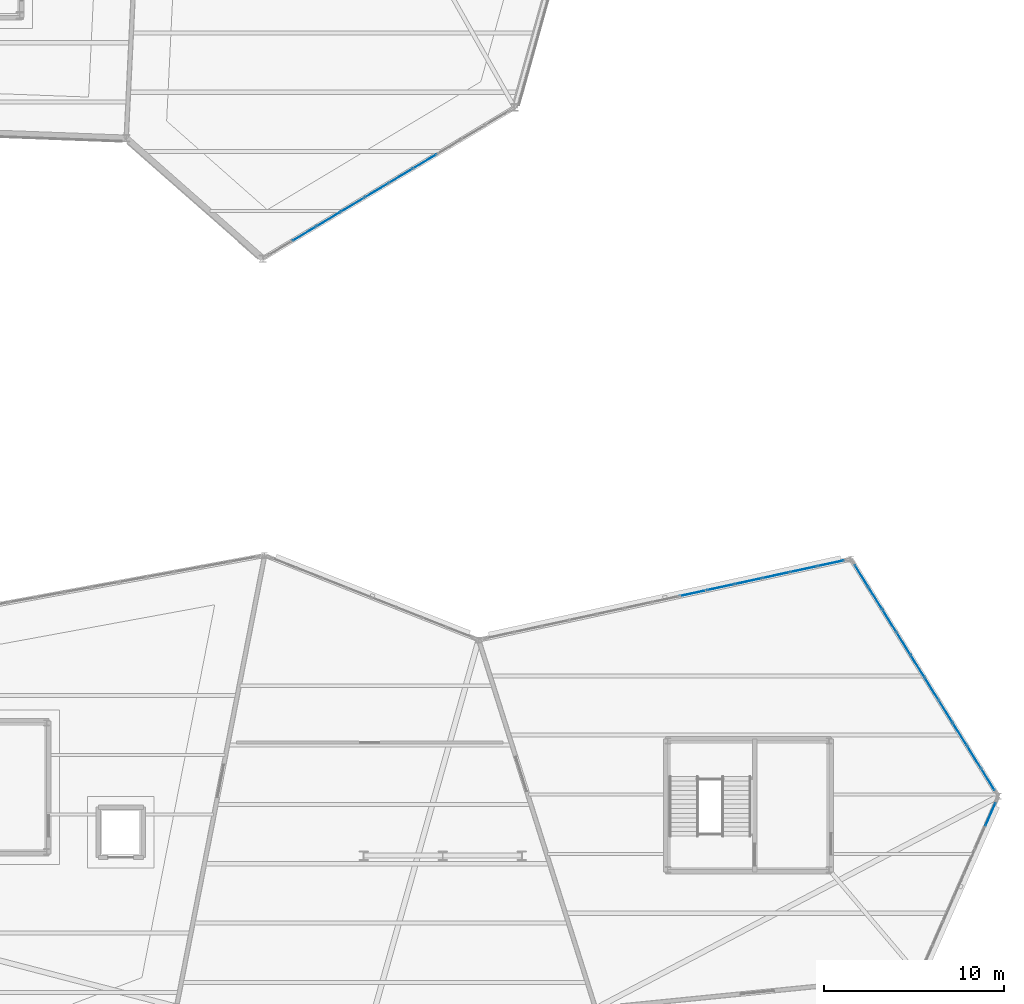
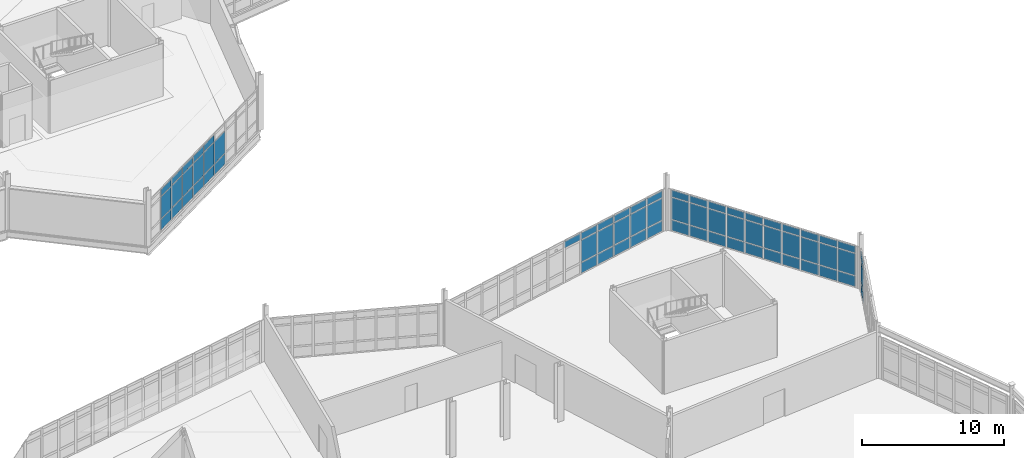
# One storey, part 99 of 134: 66 plates, 4 elements without a shape of their own.
"""IFC4 building model written with IfcOpenShell, lengths in metres."""

from ifc_helpers import new_model, si_unit, direction, frame, origin, origin_2d, place, context, subcontext, project, spatial, rectangle, extrude, material, layer, layer_set, type_object, element, aggregate, save


model = new_model("IFC4")

# Units and contexts
model_context = context("Model", 3, precision=1e-05, world=origin(), true_north=direction((0.0, 1.0)))
body_context = subcontext(model_context, "Body", "Model", "MODEL_VIEW")
ifc_project = project(units=[si_unit("LENGTHUNIT", "METRE"), si_unit("AREAUNIT", "SQUARE_METRE"), si_unit("VOLUMEUNIT", "CUBIC_METRE"), si_unit("PLANEANGLEUNIT", "RADIAN"), si_unit("MASSUNIT", "GRAM", prefix="KILO")], contexts=[model_context])

# Site, building, storey
site_placement = place(None, origin())
site = spatial("IfcSite", under=ifc_project, at=site_placement, CompositionType="ELEMENT")
building_placement = place(site_placement, origin())
building = spatial("IfcBuilding", under=site, at=building_placement, Name="Tameran Prism Museum", CompositionType="ELEMENT")
storey_placement = place(building_placement, frame((0.0, 0.0, 5.39990234375)))
storey = spatial("IfcBuildingStorey", under=building, at=storey_placement, Name="L01", CompositionType="ELEMENT", Elevation=5.39990234375)

# Curtain wall, plates
ifc_material_1 = material(Name="Anodised Aluminium 6063-T6 and Cyclone Solar Glass", Category="aluminium")
curtain_wall_type_1 = type_object("IfcCurtainWallType", Name="CW-FAC-1563x362", PredefinedType="USERDEFINED", material=ifc_material_1)
curtain_wall_1_placement = place(storey_placement, origin())
curtain_wall_1 = element("IfcCurtainWall", 1, at=curtain_wall_1_placement, inside=storey, type_object=curtain_wall_type_1, Name="Unitised Curtain Wall CW-056", ObjectType="UNITISED CURTAIN WALL", PredefinedType="USERDEFINED")
ifc_material_2 = material(Name="Low-E Laminated Solar Glass", Category="glass")
ifc_layer_1 = layer(ifc_material_2, 0.028076171875)
ifc_layer_set_1 = layer_set([ifc_layer_1])
plate_type_1 = type_object("IfcPlateType", Name="CW-PNL-G28", PredefinedType="CURTAIN_PANEL", material=ifc_layer_set_1)
plate_1_placement = place(storey_placement, frame((134.510009765625, 69.305908203125, 0.070068359375), z_axis=(0.0, 0.0, 1.0), x_axis=(-0.857492925713, -0.514495755426, 0.0)))
plate_1 = element("IfcPlate", 2, at=plate_1_placement, type_object=plate_type_1, Name="CW-056 panel 4.1", PredefinedType="CURTAIN_PANEL", context=body_context, shape_type="SweptSolid", body=[
    extrude(rectangle(XDim=1.49267578125, YDim=0.028076171875, at=origin_2d()), origin(), (0.0, 0.0, 1.0), 0.89501953125),
])
plate_2_placement = place(storey_placement, frame((134.510009765625, 69.305908203125, 1.03515625), z_axis=(0.0, 0.0, 1.0), x_axis=(-0.857492925713, -0.514495755426, 0.0)))
plate_2 = element("IfcPlate", 3, at=plate_2_placement, type_object=plate_type_1, Name="CW-056 panel 4.2", PredefinedType="CURTAIN_PANEL", context=body_context, shape_type="SweptSolid", body=[
    extrude(rectangle(XDim=1.49267578125, YDim=0.028076171875, at=origin_2d()), origin(), (0.0, 0.0, 1.0), 1.8701171875),
])
plate_3_placement = place(storey_placement, frame((133.169921875, 68.501953125, 0.070068359375), z_axis=(0.0, 0.0, 1.0), x_axis=(-0.857492925713, -0.514495755426, 0.0)))
plate_3 = element("IfcPlate", 4, at=plate_3_placement, type_object=plate_type_1, Name="CW-056 panel 5.1", PredefinedType="CURTAIN_PANEL", context=body_context, shape_type="SweptSolid", body=[
    extrude(rectangle(XDim=1.49267578125, YDim=0.028076171875, at=origin_2d()), origin(), (0.0, 0.0, 1.0), 0.89501953125),
])
plate_4_placement = place(storey_placement, frame((133.169921875, 68.501953125, 1.03515625), z_axis=(0.0, 0.0, 1.0), x_axis=(-0.857492925713, -0.514495755426, 0.0)))
plate_4 = element("IfcPlate", 5, at=plate_4_placement, type_object=plate_type_1, Name="CW-056 panel 5.2", PredefinedType="CURTAIN_PANEL", context=body_context, shape_type="SweptSolid", body=[
    extrude(rectangle(XDim=1.49267578125, YDim=0.028076171875, at=origin_2d()), origin(), (0.0, 0.0, 1.0), 1.8701171875),
])
plate_5_placement = place(storey_placement, frame((133.169921875, 68.501953125, 2.97509765625), z_axis=(0.0, 0.0, 1.0), x_axis=(-0.857492925713, -0.514495755426, 0.0)))
plate_5 = element("IfcPlate", 6, at=plate_5_placement, type_object=plate_type_1, Name="CW-056 panel 5.3", PredefinedType="CURTAIN_PANEL", context=body_context, shape_type="SweptSolid", body=[
    extrude(rectangle(XDim=1.49267578125, YDim=0.028076171875, at=origin_2d()), origin(), (0.0, 0.0, 1.0), 0.574951171875),
])
plate_6_placement = place(storey_placement, frame((131.830078125, 67.697998046875, 0.070068359375), z_axis=(0.0, 0.0, 1.0), x_axis=(-0.857492925713, -0.514495755426, 0.0)))
plate_6 = element("IfcPlate", 7, at=plate_6_placement, type_object=plate_type_1, Name="CW-056 panel 6.1", PredefinedType="CURTAIN_PANEL", context=body_context, shape_type="SweptSolid", body=[
    extrude(rectangle(XDim=1.49267578125, YDim=0.028076171875, at=origin_2d()), origin(), (0.0, 0.0, 1.0), 0.89501953125),
])
plate_7_placement = place(storey_placement, frame((131.830078125, 67.697998046875, 1.03515625), z_axis=(0.0, 0.0, 1.0), x_axis=(-0.857492925713, -0.514495755426, 0.0)))
plate_7 = element("IfcPlate", 8, at=plate_7_placement, type_object=plate_type_1, Name="CW-056 panel 6.2", PredefinedType="CURTAIN_PANEL", context=body_context, shape_type="SweptSolid", body=[
    extrude(rectangle(XDim=1.49267578125, YDim=0.028076171875, at=origin_2d()), origin(), (0.0, 0.0, 1.0), 1.8701171875),
])
plate_8_placement = place(storey_placement, frame((131.830078125, 67.697998046875, 2.97509765625), z_axis=(0.0, 0.0, 1.0), x_axis=(-0.857492925713, -0.514495755426, 0.0)))
plate_8 = element("IfcPlate", 9, at=plate_8_placement, type_object=plate_type_1, Name="CW-056 panel 6.3", PredefinedType="CURTAIN_PANEL", context=body_context, shape_type="SweptSolid", body=[
    extrude(rectangle(XDim=1.49267578125, YDim=0.028076171875, at=origin_2d()), origin(), (0.0, 0.0, 1.0), 0.574951171875),
])
plate_9_placement = place(storey_placement, frame((130.489990234375, 66.89404296875, 0.070068359375), z_axis=(0.0, 0.0, 1.0), x_axis=(-0.857492925713, -0.514495755426, 0.0)))
plate_9 = element("IfcPlate", 10, at=plate_9_placement, type_object=plate_type_1, Name="CW-056 panel 7.1", PredefinedType="CURTAIN_PANEL", context=body_context, shape_type="SweptSolid", body=[
    extrude(rectangle(XDim=1.49267578125, YDim=0.028076171875, at=origin_2d()), origin(), (0.0, 0.0, 1.0), 0.89501953125),
])
plate_10_placement = place(storey_placement, frame((130.489990234375, 66.89404296875, 1.03515625), z_axis=(0.0, 0.0, 1.0), x_axis=(-0.857492925713, -0.514495755426, 0.0)))
plate_10 = element("IfcPlate", 11, at=plate_10_placement, type_object=plate_type_1, Name="CW-056 panel 7.2", PredefinedType="CURTAIN_PANEL", context=body_context, shape_type="SweptSolid", body=[
    extrude(rectangle(XDim=1.49267578125, YDim=0.028076171875, at=origin_2d()), origin(), (0.0, 0.0, 1.0), 1.8701171875),
])
plate_11_placement = place(storey_placement, frame((130.489990234375, 66.89404296875, 2.97509765625), z_axis=(0.0, 0.0, 1.0), x_axis=(-0.857492925713, -0.514495755426, 0.0)))
plate_11 = element("IfcPlate", 12, at=plate_11_placement, type_object=plate_type_1, Name="CW-056 panel 7.3", PredefinedType="CURTAIN_PANEL", context=body_context, shape_type="SweptSolid", body=[
    extrude(rectangle(XDim=1.49267578125, YDim=0.028076171875, at=origin_2d()), origin(), (0.0, 0.0, 1.0), 0.574951171875),
])
plate_12_placement = place(storey_placement, frame((129.14990234375, 66.090087890625, 0.070068359375), z_axis=(0.0, 0.0, 1.0), x_axis=(-0.857492925713, -0.514495755426, 0.0)))
plate_12 = element("IfcPlate", 13, at=plate_12_placement, type_object=plate_type_1, Name="CW-056 panel 8.1", PredefinedType="CURTAIN_PANEL", context=body_context, shape_type="SweptSolid", body=[
    extrude(rectangle(XDim=1.49267578125, YDim=0.028076171875, at=origin_2d()), origin(), (0.0, 0.0, 1.0), 0.89501953125),
])
plate_13_placement = place(storey_placement, frame((129.14990234375, 66.090087890625, 1.03515625), z_axis=(0.0, 0.0, 1.0), x_axis=(-0.857492925713, -0.514495755426, 0.0)))
plate_13 = element("IfcPlate", 14, at=plate_13_placement, type_object=plate_type_1, Name="CW-056 panel 8.2", PredefinedType="CURTAIN_PANEL", context=body_context, shape_type="SweptSolid", body=[
    extrude(rectangle(XDim=1.49267578125, YDim=0.028076171875, at=origin_2d()), origin(), (0.0, 0.0, 1.0), 1.8701171875),
])
plate_14_placement = place(storey_placement, frame((129.14990234375, 66.090087890625, 2.97509765625), z_axis=(0.0, 0.0, 1.0), x_axis=(-0.857492925713, -0.514495755426, 0.0)))
plate_14 = element("IfcPlate", 15, at=plate_14_placement, type_object=plate_type_1, Name="CW-056 panel 8.3", PredefinedType="CURTAIN_PANEL", context=body_context, shape_type="SweptSolid", body=[
    extrude(rectangle(XDim=1.49267578125, YDim=0.028076171875, at=origin_2d()), origin(), (0.0, 0.0, 1.0), 0.574951171875),
])
plate_15_placement = place(storey_placement, frame((127.81005859375, 65.285888671875, 0.070068359375), z_axis=(0.0, 0.0, 1.0), x_axis=(-0.857492925713, -0.514495755426, 0.0)))
plate_15 = element("IfcPlate", 16, at=plate_15_placement, type_object=plate_type_1, Name="CW-056 panel 9.1", PredefinedType="CURTAIN_PANEL", context=body_context, shape_type="SweptSolid", body=[
    extrude(rectangle(XDim=1.49267578125, YDim=0.028076171875, at=origin_2d()), origin(), (0.0, 0.0, 1.0), 0.89501953125),
])
plate_16_placement = place(storey_placement, frame((127.81005859375, 65.285888671875, 1.03515625), z_axis=(0.0, 0.0, 1.0), x_axis=(-0.857492925713, -0.514495755426, 0.0)))
plate_16 = element("IfcPlate", 17, at=plate_16_placement, type_object=plate_type_1, Name="CW-056 panel 9.2", PredefinedType="CURTAIN_PANEL", context=body_context, shape_type="SweptSolid", body=[
    extrude(rectangle(XDim=1.49267578125, YDim=0.028076171875, at=origin_2d()), origin(), (0.0, 0.0, 1.0), 1.8701171875),
])
plate_17_placement = place(storey_placement, frame((127.81005859375, 65.285888671875, 2.97509765625), z_axis=(0.0, 0.0, 1.0), x_axis=(-0.857492925713, -0.514495755426, 0.0)))
plate_17 = element("IfcPlate", 18, at=plate_17_placement, type_object=plate_type_1, Name="CW-056 panel 9.3", PredefinedType="CURTAIN_PANEL", context=body_context, shape_type="SweptSolid", body=[
    extrude(rectangle(XDim=1.49267578125, YDim=0.028076171875, at=origin_2d()), origin(), (0.0, 0.0, 1.0), 0.574951171875),
])
aggregate(curtain_wall_1, [plate_1, plate_2, plate_3, plate_4, plate_5, plate_6, plate_7, plate_8, plate_9, plate_10, plate_11, plate_12, plate_13, plate_14, plate_15, plate_16, plate_17])

ifc_material_3 = material(Name="Anodised Aluminium 6063-T6 and Cyclone Solar Glass", Category="aluminium")
curtain_wall_type_2 = type_object("IfcCurtainWallType", Name="CW-FAC-1016x362", PredefinedType="USERDEFINED", material=ifc_material_3)
curtain_wall_2_placement = place(storey_placement, origin())
curtain_wall_2 = element("IfcCurtainWall", 19, at=curtain_wall_2_placement, inside=storey, type_object=curtain_wall_type_2, Name="Unitised Curtain Wall CW-095", ObjectType="UNITISED CURTAIN WALL", PredefinedType="USERDEFINED")
plate_18_placement = place(storey_placement, frame((165.9599609375, 33.00048828125, 0.06494140625), z_axis=(0.0, 0.0, 1.0), x_axis=(-0.402722131488, -0.915322284668, 0.0)))
plate_18 = element("IfcPlate", 20, at=plate_18_placement, type_object=plate_type_1, Name="CW-095 panel 1.1", PredefinedType="CURTAIN_PANEL", context=body_context, shape_type="SweptSolid", body=[
    extrude(rectangle(XDim=1.354736328125, YDim=0.028076171875, at=origin_2d()), origin(), (0.0, 0.0, 1.0), 0.902587890625),
])
plate_19_placement = place(storey_placement, frame((165.9599609375, 33.00048828125, 1.03271484375), z_axis=(0.0, 0.0, 1.0), x_axis=(-0.402722131488, -0.915322284668, 0.0)))
plate_19 = element("IfcPlate", 21, at=plate_19_placement, type_object=plate_type_1, Name="CW-095 panel 1.2", PredefinedType="CURTAIN_PANEL", context=body_context, shape_type="SweptSolid", body=[
    extrude(rectangle(XDim=1.354736328125, YDim=0.028076171875, at=origin_2d()), origin(), (0.0, 0.0, 1.0), 1.875),
])
plate_20_placement = place(storey_placement, frame((165.9599609375, 33.00048828125, 2.97265625), z_axis=(0.0, 0.0, 1.0), x_axis=(-0.402722131488, -0.915322284668, 0.0)))
plate_20 = element("IfcPlate", 22, at=plate_20_placement, type_object=plate_type_1, Name="CW-095 panel 1.3", PredefinedType="CURTAIN_PANEL", context=body_context, shape_type="SweptSolid", body=[
    extrude(rectangle(XDim=1.354736328125, YDim=0.028076171875, at=origin_2d()), origin(), (0.0, 0.0, 1.0), 0.58251953125),
])
aggregate(curtain_wall_2, [plate_18, plate_19, plate_20])

ifc_material_4 = material(Name="Anodised Aluminium 6063-T6 and Cyclone Solar Glass", Category="aluminium")
curtain_wall_type_3 = type_object("IfcCurtainWallType", Name="CW-FAC-1484x362", PredefinedType="USERDEFINED", material=ifc_material_4)
curtain_wall_3_placement = place(storey_placement, origin())
curtain_wall_3 = element("IfcCurtainWall", 23, at=curtain_wall_3_placement, inside=storey, type_object=curtain_wall_type_3, Name="Unitised Curtain Wall CW-096", ObjectType="UNITISED CURTAIN WALL", PredefinedType="USERDEFINED")
ifc_material_5 = material(Name="Cyclone Laminated Solar Glass", Category="glass")
ifc_layer_2 = layer(ifc_material_5, 0.031982421875)
ifc_layer_set_2 = layer_set([ifc_layer_2])
plate_type_2 = type_object("IfcPlateType", Name="CW-PNL-G32", PredefinedType="CURTAIN_PANEL", material=ifc_layer_set_2)
plate_21_placement = place(storey_placement, frame((158.78564453125, 46.2578125, 0.070068359375), z_axis=(0.0, 0.0, 1.0), x_axis=(0.527634577931, -0.849471454595, 0.0)))
plate_21 = element("IfcPlate", 24, at=plate_21_placement, type_object=plate_type_2, Name="CW-096 panel 1.1", PredefinedType="CURTAIN_PANEL", context=body_context, shape_type="SweptSolid", body=[
    extrude(rectangle(XDim=1.37890625, YDim=0.031982421875, at=origin_2d()), origin(), (0.0, 0.0, 1.0), 0.89501953125),
])
plate_22_placement = place(storey_placement, frame((158.78564453125, 46.2578125, 1.03515625), z_axis=(0.0, 0.0, 1.0), x_axis=(0.527634577931, -0.849471454595, 0.0)))
plate_22 = element("IfcPlate", 25, at=plate_22_placement, type_object=plate_type_2, Name="CW-096 panel 1.2", PredefinedType="CURTAIN_PANEL", context=body_context, shape_type="SweptSolid", body=[
    extrude(rectangle(XDim=1.37890625, YDim=0.031982421875, at=origin_2d()), origin(), (0.0, 0.0, 1.0), 1.8701171875),
])
plate_23_placement = place(storey_placement, frame((158.78564453125, 46.2578125, 2.97509765625), z_axis=(0.0, 0.0, 1.0), x_axis=(0.527634577931, -0.849471454595, 0.0)))
plate_23 = element("IfcPlate", 26, at=plate_23_placement, type_object=plate_type_2, Name="CW-096 panel 1.3", PredefinedType="CURTAIN_PANEL", context=body_context, shape_type="SweptSolid", body=[
    extrude(rectangle(XDim=1.37890625, YDim=0.031982421875, at=origin_2d()), origin(), (0.0, 0.0, 1.0), 0.574951171875),
])
plate_24_placement = place(storey_placement, frame((159.5595703125, 45.01220703125, 0.070068359375), z_axis=(0.0, 0.0, 1.0), x_axis=(0.527634577931, -0.849471454595, 0.0)))
plate_24 = element("IfcPlate", 27, at=plate_24_placement, type_object=plate_type_2, Name="CW-096 panel 2.1", PredefinedType="CURTAIN_PANEL", context=body_context, shape_type="SweptSolid", body=[
    extrude(rectangle(XDim=1.4140625, YDim=0.031982421875, at=origin_2d()), origin(), (0.0, 0.0, 1.0), 0.89501953125),
])
plate_25_placement = place(storey_placement, frame((159.5595703125, 45.01220703125, 1.03515625), z_axis=(0.0, 0.0, 1.0), x_axis=(0.527634577931, -0.849471454595, 0.0)))
plate_25 = element("IfcPlate", 28, at=plate_25_placement, type_object=plate_type_2, Name="CW-096 panel 2.2", PredefinedType="CURTAIN_PANEL", context=body_context, shape_type="SweptSolid", body=[
    extrude(rectangle(XDim=1.4140625, YDim=0.031982421875, at=origin_2d()), origin(), (0.0, 0.0, 1.0), 1.8701171875),
])
plate_26_placement = place(storey_placement, frame((159.5595703125, 45.01220703125, 2.97509765625), z_axis=(0.0, 0.0, 1.0), x_axis=(0.527634577931, -0.849471454595, 0.0)))
plate_26 = element("IfcPlate", 29, at=plate_26_placement, type_object=plate_type_2, Name="CW-096 panel 2.3", PredefinedType="CURTAIN_PANEL", context=body_context, shape_type="SweptSolid", body=[
    extrude(rectangle(XDim=1.4140625, YDim=0.031982421875, at=origin_2d()), origin(), (0.0, 0.0, 1.0), 0.574951171875),
])
plate_27_placement = place(storey_placement, frame((160.342529296875, 43.75146484375, 0.070068359375), z_axis=(0.0, 0.0, 1.0), x_axis=(0.527634577931, -0.849471454595, 0.0)))
plate_27 = element("IfcPlate", 30, at=plate_27_placement, type_object=plate_type_2, Name="CW-096 panel 3.1", PredefinedType="CURTAIN_PANEL", context=body_context, shape_type="SweptSolid", body=[
    extrude(rectangle(XDim=1.4140625, YDim=0.031982421875, at=origin_2d()), origin(), (0.0, 0.0, 1.0), 0.89501953125),
])
plate_28_placement = place(storey_placement, frame((160.342529296875, 43.75146484375, 1.03515625), z_axis=(0.0, 0.0, 1.0), x_axis=(0.527634577931, -0.849471454595, 0.0)))
plate_28 = element("IfcPlate", 31, at=plate_28_placement, type_object=plate_type_2, Name="CW-096 panel 3.2", PredefinedType="CURTAIN_PANEL", context=body_context, shape_type="SweptSolid", body=[
    extrude(rectangle(XDim=1.4140625, YDim=0.031982421875, at=origin_2d()), origin(), (0.0, 0.0, 1.0), 1.8701171875),
])
plate_29_placement = place(storey_placement, frame((160.342529296875, 43.75146484375, 2.97509765625), z_axis=(0.0, 0.0, 1.0), x_axis=(0.527634577931, -0.849471454595, 0.0)))
plate_29 = element("IfcPlate", 32, at=plate_29_placement, type_object=plate_type_2, Name="CW-096 panel 3.3", PredefinedType="CURTAIN_PANEL", context=body_context, shape_type="SweptSolid", body=[
    extrude(rectangle(XDim=1.4140625, YDim=0.031982421875, at=origin_2d()), origin(), (0.0, 0.0, 1.0), 0.574951171875),
])
plate_30_placement = place(storey_placement, frame((161.12548828125, 42.490966796875, 0.070068359375), z_axis=(0.0, 0.0, 1.0), x_axis=(0.527634577931, -0.849471454595, 0.0)))
plate_30 = element("IfcPlate", 33, at=plate_30_placement, type_object=plate_type_2, Name="CW-096 panel 4.1", PredefinedType="CURTAIN_PANEL", context=body_context, shape_type="SweptSolid", body=[
    extrude(rectangle(XDim=1.4140625, YDim=0.031982421875, at=origin_2d()), origin(), (0.0, 0.0, 1.0), 0.89501953125),
])
plate_31_placement = place(storey_placement, frame((161.12548828125, 42.490966796875, 1.03515625), z_axis=(0.0, 0.0, 1.0), x_axis=(0.527634577931, -0.849471454595, 0.0)))
plate_31 = element("IfcPlate", 34, at=plate_31_placement, type_object=plate_type_2, Name="CW-096 panel 4.2", PredefinedType="CURTAIN_PANEL", context=body_context, shape_type="SweptSolid", body=[
    extrude(rectangle(XDim=1.4140625, YDim=0.031982421875, at=origin_2d()), origin(), (0.0, 0.0, 1.0), 1.8701171875),
])
plate_32_placement = place(storey_placement, frame((161.12548828125, 42.490966796875, 2.97509765625), z_axis=(0.0, 0.0, 1.0), x_axis=(0.527634577931, -0.849471454595, 0.0)))
plate_32 = element("IfcPlate", 35, at=plate_32_placement, type_object=plate_type_2, Name="CW-096 panel 4.3", PredefinedType="CURTAIN_PANEL", context=body_context, shape_type="SweptSolid", body=[
    extrude(rectangle(XDim=1.4140625, YDim=0.031982421875, at=origin_2d()), origin(), (0.0, 0.0, 1.0), 0.574951171875),
])
plate_33_placement = place(storey_placement, frame((161.908447265625, 41.230224609375, 0.070068359375), z_axis=(0.0, 0.0, 1.0), x_axis=(0.527634577931, -0.849471454595, 0.0)))
plate_33 = element("IfcPlate", 36, at=plate_33_placement, type_object=plate_type_2, Name="CW-096 panel 5.1", PredefinedType="CURTAIN_PANEL", context=body_context, shape_type="SweptSolid", body=[
    extrude(rectangle(XDim=1.4140625, YDim=0.031982421875, at=origin_2d()), origin(), (0.0, 0.0, 1.0), 0.89501953125),
])
plate_34_placement = place(storey_placement, frame((161.908447265625, 41.230224609375, 1.03515625), z_axis=(0.0, 0.0, 1.0), x_axis=(0.527634577931, -0.849471454595, 0.0)))
plate_34 = element("IfcPlate", 37, at=plate_34_placement, type_object=plate_type_2, Name="CW-096 panel 5.2", PredefinedType="CURTAIN_PANEL", context=body_context, shape_type="SweptSolid", body=[
    extrude(rectangle(XDim=1.4140625, YDim=0.031982421875, at=origin_2d()), origin(), (0.0, 0.0, 1.0), 1.8701171875),
])
plate_35_placement = place(storey_placement, frame((161.908447265625, 41.230224609375, 2.97509765625), z_axis=(0.0, 0.0, 1.0), x_axis=(0.527634577931, -0.849471454595, 0.0)))
plate_35 = element("IfcPlate", 38, at=plate_35_placement, type_object=plate_type_2, Name="CW-096 panel 5.3", PredefinedType="CURTAIN_PANEL", context=body_context, shape_type="SweptSolid", body=[
    extrude(rectangle(XDim=1.4140625, YDim=0.031982421875, at=origin_2d()), origin(), (0.0, 0.0, 1.0), 0.574951171875),
])
plate_36_placement = place(storey_placement, frame((162.69140625, 39.9697265625, 0.070068359375), z_axis=(0.0, 0.0, 1.0), x_axis=(0.527634577931, -0.849471454595, 0.0)))
plate_36 = element("IfcPlate", 39, at=plate_36_placement, type_object=plate_type_2, Name="CW-096 panel 6.1", PredefinedType="CURTAIN_PANEL", context=body_context, shape_type="SweptSolid", body=[
    extrude(rectangle(XDim=1.4140625, YDim=0.031982421875, at=origin_2d()), origin(), (0.0, 0.0, 1.0), 0.89501953125),
])
plate_37_placement = place(storey_placement, frame((162.69140625, 39.9697265625, 1.03515625), z_axis=(0.0, 0.0, 1.0), x_axis=(0.527634577931, -0.849471454595, 0.0)))
plate_37 = element("IfcPlate", 40, at=plate_37_placement, type_object=plate_type_2, Name="CW-096 panel 6.2", PredefinedType="CURTAIN_PANEL", context=body_context, shape_type="SweptSolid", body=[
    extrude(rectangle(XDim=1.4140625, YDim=0.031982421875, at=origin_2d()), origin(), (0.0, 0.0, 1.0), 1.8701171875),
])
plate_38_placement = place(storey_placement, frame((162.69140625, 39.9697265625, 2.97509765625), z_axis=(0.0, 0.0, 1.0), x_axis=(0.527634577931, -0.849471454595, 0.0)))
plate_38 = element("IfcPlate", 41, at=plate_38_placement, type_object=plate_type_2, Name="CW-096 panel 6.3", PredefinedType="CURTAIN_PANEL", context=body_context, shape_type="SweptSolid", body=[
    extrude(rectangle(XDim=1.4140625, YDim=0.031982421875, at=origin_2d()), origin(), (0.0, 0.0, 1.0), 0.574951171875),
])
plate_39_placement = place(storey_placement, frame((163.474609375, 38.708984375, 0.070068359375), z_axis=(0.0, 0.0, 1.0), x_axis=(0.527634577931, -0.849471454595, 0.0)))
plate_39 = element("IfcPlate", 42, at=plate_39_placement, type_object=plate_type_2, Name="CW-096 panel 7.1", PredefinedType="CURTAIN_PANEL", context=body_context, shape_type="SweptSolid", body=[
    extrude(rectangle(XDim=1.4140625, YDim=0.031982421875, at=origin_2d()), origin(), (0.0, 0.0, 1.0), 0.89501953125),
])
plate_40_placement = place(storey_placement, frame((163.474609375, 38.708984375, 1.03515625), z_axis=(0.0, 0.0, 1.0), x_axis=(0.527634577931, -0.849471454595, 0.0)))
plate_40 = element("IfcPlate", 43, at=plate_40_placement, type_object=plate_type_2, Name="CW-096 panel 7.2", PredefinedType="CURTAIN_PANEL", context=body_context, shape_type="SweptSolid", body=[
    extrude(rectangle(XDim=1.4140625, YDim=0.031982421875, at=origin_2d()), origin(), (0.0, 0.0, 1.0), 1.8701171875),
])
plate_41_placement = place(storey_placement, frame((163.474609375, 38.708984375, 2.97509765625), z_axis=(0.0, 0.0, 1.0), x_axis=(0.527634577931, -0.849471454595, 0.0)))
plate_41 = element("IfcPlate", 44, at=plate_41_placement, type_object=plate_type_2, Name="CW-096 panel 7.3", PredefinedType="CURTAIN_PANEL", context=body_context, shape_type="SweptSolid", body=[
    extrude(rectangle(XDim=1.4140625, YDim=0.031982421875, at=origin_2d()), origin(), (0.0, 0.0, 1.0), 0.574951171875),
])
plate_42_placement = place(storey_placement, frame((164.257568359375, 37.448486328125, 0.070068359375), z_axis=(0.0, 0.0, 1.0), x_axis=(0.527634577931, -0.849471454595, 0.0)))
plate_42 = element("IfcPlate", 45, at=plate_42_placement, type_object=plate_type_2, Name="CW-096 panel 8.1", PredefinedType="CURTAIN_PANEL", context=body_context, shape_type="SweptSolid", body=[
    extrude(rectangle(XDim=1.4140625, YDim=0.031982421875, at=origin_2d()), origin(), (0.0, 0.0, 1.0), 0.89501953125),
])
plate_43_placement = place(storey_placement, frame((164.257568359375, 37.448486328125, 1.03515625), z_axis=(0.0, 0.0, 1.0), x_axis=(0.527634577931, -0.849471454595, 0.0)))
plate_43 = element("IfcPlate", 46, at=plate_43_placement, type_object=plate_type_2, Name="CW-096 panel 8.2", PredefinedType="CURTAIN_PANEL", context=body_context, shape_type="SweptSolid", body=[
    extrude(rectangle(XDim=1.4140625, YDim=0.031982421875, at=origin_2d()), origin(), (0.0, 0.0, 1.0), 1.8701171875),
])
plate_44_placement = place(storey_placement, frame((164.257568359375, 37.448486328125, 2.97509765625), z_axis=(0.0, 0.0, 1.0), x_axis=(0.527634577931, -0.849471454595, 0.0)))
plate_44 = element("IfcPlate", 47, at=plate_44_placement, type_object=plate_type_2, Name="CW-096 panel 8.3", PredefinedType="CURTAIN_PANEL", context=body_context, shape_type="SweptSolid", body=[
    extrude(rectangle(XDim=1.4140625, YDim=0.031982421875, at=origin_2d()), origin(), (0.0, 0.0, 1.0), 0.574951171875),
])
plate_45_placement = place(storey_placement, frame((165.04052734375, 36.18798828125, 0.070068359375), z_axis=(0.0, 0.0, 1.0), x_axis=(0.527634577931, -0.849471454595, 0.0)))
plate_45 = element("IfcPlate", 48, at=plate_45_placement, type_object=plate_type_2, Name="CW-096 panel 9.1", PredefinedType="CURTAIN_PANEL", context=body_context, shape_type="SweptSolid", body=[
    extrude(rectangle(XDim=1.4140625, YDim=0.031982421875, at=origin_2d()), origin(), (0.0, 0.0, 1.0), 0.89501953125),
])
plate_46_placement = place(storey_placement, frame((165.04052734375, 36.18798828125, 1.03515625), z_axis=(0.0, 0.0, 1.0), x_axis=(0.527634577931, -0.849471454595, 0.0)))
plate_46 = element("IfcPlate", 49, at=plate_46_placement, type_object=plate_type_2, Name="CW-096 panel 9.2", PredefinedType="CURTAIN_PANEL", context=body_context, shape_type="SweptSolid", body=[
    extrude(rectangle(XDim=1.4140625, YDim=0.031982421875, at=origin_2d()), origin(), (0.0, 0.0, 1.0), 1.8701171875),
])
plate_47_placement = place(storey_placement, frame((165.04052734375, 36.18798828125, 2.97509765625), z_axis=(0.0, 0.0, 1.0), x_axis=(0.527634577931, -0.849471454595, 0.0)))
plate_47 = element("IfcPlate", 50, at=plate_47_placement, type_object=plate_type_2, Name="CW-096 panel 9.3", PredefinedType="CURTAIN_PANEL", context=body_context, shape_type="SweptSolid", body=[
    extrude(rectangle(XDim=1.4140625, YDim=0.031982421875, at=origin_2d()), origin(), (0.0, 0.0, 1.0), 0.574951171875),
])
plate_48_placement = place(storey_placement, frame((165.814208984375, 34.942138671875, 0.070068359375), z_axis=(0.0, 0.0, 1.0), x_axis=(0.527634577931, -0.849471454595, 0.0)))
plate_48 = element("IfcPlate", 51, at=plate_48_placement, type_object=plate_type_2, Name="CW-096 panel 10.1", PredefinedType="CURTAIN_PANEL", context=body_context, shape_type="SweptSolid", body=[
    extrude(rectangle(XDim=1.37890625, YDim=0.031982421875, at=origin_2d()), origin(), (0.0, 0.0, 1.0), 0.89501953125),
])
plate_49_placement = place(storey_placement, frame((165.814208984375, 34.942138671875, 1.03515625), z_axis=(0.0, 0.0, 1.0), x_axis=(0.527634577931, -0.849471454595, 0.0)))
plate_49 = element("IfcPlate", 52, at=plate_49_placement, type_object=plate_type_2, Name="CW-096 panel 10.2", PredefinedType="CURTAIN_PANEL", context=body_context, shape_type="SweptSolid", body=[
    extrude(rectangle(XDim=1.37890625, YDim=0.031982421875, at=origin_2d()), origin(), (0.0, 0.0, 1.0), 1.8701171875),
])
plate_50_placement = place(storey_placement, frame((165.814208984375, 34.942138671875, 2.97509765625), z_axis=(0.0, 0.0, 1.0), x_axis=(0.527634577931, -0.849471454595, 0.0)))
plate_50 = element("IfcPlate", 53, at=plate_50_placement, type_object=plate_type_2, Name="CW-096 panel 10.3", PredefinedType="CURTAIN_PANEL", context=body_context, shape_type="SweptSolid", body=[
    extrude(rectangle(XDim=1.37890625, YDim=0.031982421875, at=origin_2d()), origin(), (0.0, 0.0, 1.0), 0.574951171875),
])
aggregate(curtain_wall_3, [plate_21, plate_22, plate_23, plate_24, plate_25, plate_26, plate_27, plate_28, plate_29, plate_30, plate_31, plate_32, plate_33, plate_34, plate_35, plate_36, plate_37, plate_38, plate_39, plate_40, plate_41, plate_42, plate_43, plate_44, plate_45, plate_46, plate_47, plate_48, plate_49, plate_50])

ifc_material_6 = material(Name="Anodised Aluminium 6063-T6 and Cyclone Solar Glass", Category="aluminium")
curtain_wall_type_4 = type_object("IfcCurtainWallType", Name="CW-FAC-2042x362", PredefinedType="USERDEFINED", material=ifc_material_6)
curtain_wall_4_placement = place(storey_placement, origin())
curtain_wall_4 = element("IfcCurtainWall", 54, at=curtain_wall_4_placement, inside=storey, type_object=curtain_wall_type_4, Name="Unitised Curtain Wall CW-097", ObjectType="UNITISED CURTAIN WALL", PredefinedType="USERDEFINED")
plate_51_placement = place(storey_placement, frame((149.41455078125, 45.290283203125, 2.9775390625), z_axis=(0.0, 0.0, 1.0), x_axis=(0.977171060676, 0.212454037801, 0.0)))
plate_51 = element("IfcPlate", 55, at=plate_51_placement, type_object=plate_type_2, Name="CW-097 panel 8.3", PredefinedType="CURTAIN_PANEL", context=body_context, shape_type="SweptSolid", body=[
    extrude(rectangle(XDim=1.49609375, YDim=0.031982421875, at=origin_2d()), origin(), (0.0, 0.0, 1.0), 0.5673828125),
])
plate_52_placement = place(storey_placement, frame((150.94970703125, 45.6240234375, 0.0751953125), z_axis=(0.0, 0.0, 1.0), x_axis=(0.977171060676, 0.212454037801, 0.0)))
plate_52 = element("IfcPlate", 56, at=plate_52_placement, type_object=plate_type_2, Name="CW-097 panel 9.1", PredefinedType="CURTAIN_PANEL", context=body_context, shape_type="SweptSolid", body=[
    extrude(rectangle(XDim=1.49609375, YDim=0.031982421875, at=origin_2d()), origin(), (0.0, 0.0, 1.0), 0.887451171875),
])
plate_53_placement = place(storey_placement, frame((150.94970703125, 45.6240234375, 1.03759765625), z_axis=(0.0, 0.0, 1.0), x_axis=(0.977171060676, 0.212454037801, 0.0)))
plate_53 = element("IfcPlate", 57, at=plate_53_placement, type_object=plate_type_2, Name="CW-097 panel 9.2", PredefinedType="CURTAIN_PANEL", context=body_context, shape_type="SweptSolid", body=[
    extrude(rectangle(XDim=1.49609375, YDim=0.031982421875, at=origin_2d()), origin(), (0.0, 0.0, 1.0), 1.864990234375),
])
plate_54_placement = place(storey_placement, frame((150.94970703125, 45.6240234375, 2.9775390625), z_axis=(0.0, 0.0, 1.0), x_axis=(0.977171060676, 0.212454037801, 0.0)))
plate_54 = element("IfcPlate", 58, at=plate_54_placement, type_object=plate_type_2, Name="CW-097 panel 9.3", PredefinedType="CURTAIN_PANEL", context=body_context, shape_type="SweptSolid", body=[
    extrude(rectangle(XDim=1.49609375, YDim=0.031982421875, at=origin_2d()), origin(), (0.0, 0.0, 1.0), 0.5673828125),
])
plate_55_placement = place(storey_placement, frame((152.48486328125, 45.957763671875, 0.0751953125), z_axis=(0.0, 0.0, 1.0), x_axis=(0.977171060676, 0.212454037801, 0.0)))
plate_55 = element("IfcPlate", 59, at=plate_55_placement, type_object=plate_type_2, Name="CW-097 panel 10.1", PredefinedType="CURTAIN_PANEL", context=body_context, shape_type="SweptSolid", body=[
    extrude(rectangle(XDim=1.49609375, YDim=0.031982421875, at=origin_2d()), origin(), (0.0, 0.0, 1.0), 0.887451171875),
])
plate_56_placement = place(storey_placement, frame((152.48486328125, 45.957763671875, 1.03759765625), z_axis=(0.0, 0.0, 1.0), x_axis=(0.977171060676, 0.212454037801, 0.0)))
plate_56 = element("IfcPlate", 60, at=plate_56_placement, type_object=plate_type_2, Name="CW-097 panel 10.2", PredefinedType="CURTAIN_PANEL", context=body_context, shape_type="SweptSolid", body=[
    extrude(rectangle(XDim=1.49609375, YDim=0.031982421875, at=origin_2d()), origin(), (0.0, 0.0, 1.0), 1.864990234375),
])
plate_57_placement = place(storey_placement, frame((152.48486328125, 45.957763671875, 2.9775390625), z_axis=(0.0, 0.0, 1.0), x_axis=(0.977171060676, 0.212454037801, 0.0)))
plate_57 = element("IfcPlate", 61, at=plate_57_placement, type_object=plate_type_2, Name="CW-097 panel 10.3", PredefinedType="CURTAIN_PANEL", context=body_context, shape_type="SweptSolid", body=[
    extrude(rectangle(XDim=1.49609375, YDim=0.031982421875, at=origin_2d()), origin(), (0.0, 0.0, 1.0), 0.5673828125),
])
plate_58_placement = place(storey_placement, frame((154.02001953125, 46.29150390625, 0.0751953125), z_axis=(0.0, 0.0, 1.0), x_axis=(0.977171060676, 0.212454037801, 0.0)))
plate_58 = element("IfcPlate", 62, at=plate_58_placement, type_object=plate_type_2, Name="CW-097 panel 11.1", PredefinedType="CURTAIN_PANEL", context=body_context, shape_type="SweptSolid", body=[
    extrude(rectangle(XDim=1.49609375, YDim=0.031982421875, at=origin_2d()), origin(), (0.0, 0.0, 1.0), 0.887451171875),
])
plate_59_placement = place(storey_placement, frame((154.02001953125, 46.29150390625, 1.03759765625), z_axis=(0.0, 0.0, 1.0), x_axis=(0.977171060676, 0.212454037801, 0.0)))
plate_59 = element("IfcPlate", 63, at=plate_59_placement, type_object=plate_type_2, Name="CW-097 panel 11.2", PredefinedType="CURTAIN_PANEL", context=body_context, shape_type="SweptSolid", body=[
    extrude(rectangle(XDim=1.49609375, YDim=0.031982421875, at=origin_2d()), origin(), (0.0, 0.0, 1.0), 1.864990234375),
])
plate_60_placement = place(storey_placement, frame((154.02001953125, 46.29150390625, 2.9775390625), z_axis=(0.0, 0.0, 1.0), x_axis=(0.977171060676, 0.212454037801, 0.0)))
plate_60 = element("IfcPlate", 64, at=plate_60_placement, type_object=plate_type_2, Name="CW-097 panel 11.3", PredefinedType="CURTAIN_PANEL", context=body_context, shape_type="SweptSolid", body=[
    extrude(rectangle(XDim=1.49609375, YDim=0.031982421875, at=origin_2d()), origin(), (0.0, 0.0, 1.0), 0.5673828125),
])
plate_61_placement = place(storey_placement, frame((155.55517578125, 46.625244140625, 0.0751953125), z_axis=(0.0, 0.0, 1.0), x_axis=(0.977171060676, 0.212454037801, 0.0)))
plate_61 = element("IfcPlate", 65, at=plate_61_placement, type_object=plate_type_2, Name="CW-097 panel 12.1", PredefinedType="CURTAIN_PANEL", context=body_context, shape_type="SweptSolid", body=[
    extrude(rectangle(XDim=1.49609375, YDim=0.031982421875, at=origin_2d()), origin(), (0.0, 0.0, 1.0), 0.887451171875),
])
plate_62_placement = place(storey_placement, frame((155.55517578125, 46.625244140625, 1.03759765625), z_axis=(0.0, 0.0, 1.0), x_axis=(0.977171060676, 0.212454037801, 0.0)))
plate_62 = element("IfcPlate", 66, at=plate_62_placement, type_object=plate_type_2, Name="CW-097 panel 12.2", PredefinedType="CURTAIN_PANEL", context=body_context, shape_type="SweptSolid", body=[
    extrude(rectangle(XDim=1.49609375, YDim=0.031982421875, at=origin_2d()), origin(), (0.0, 0.0, 1.0), 1.864990234375),
])
plate_63_placement = place(storey_placement, frame((155.55517578125, 46.625244140625, 2.9775390625), z_axis=(0.0, 0.0, 1.0), x_axis=(0.977171060676, 0.212454037801, 0.0)))
plate_63 = element("IfcPlate", 67, at=plate_63_placement, type_object=plate_type_2, Name="CW-097 panel 12.3", PredefinedType="CURTAIN_PANEL", context=body_context, shape_type="SweptSolid", body=[
    extrude(rectangle(XDim=1.49609375, YDim=0.031982421875, at=origin_2d()), origin(), (0.0, 0.0, 1.0), 0.5673828125),
])
plate_64_placement = place(storey_placement, frame((157.072021484375, 46.955078125, 0.0751953125), z_axis=(0.0, 0.0, 1.0), x_axis=(0.977171060676, 0.212454037801, 0.0)))
plate_64 = element("IfcPlate", 68, at=plate_64_placement, type_object=plate_type_2, Name="CW-097 panel 13.1", PredefinedType="CURTAIN_PANEL", context=body_context, shape_type="SweptSolid", body=[
    extrude(rectangle(XDim=1.45849609375, YDim=0.031982421875, at=origin_2d()), origin(), (0.0, 0.0, 1.0), 0.887451171875),
])
plate_65_placement = place(storey_placement, frame((157.072021484375, 46.955078125, 1.03759765625), z_axis=(0.0, 0.0, 1.0), x_axis=(0.977171060676, 0.212454037801, 0.0)))
plate_65 = element("IfcPlate", 69, at=plate_65_placement, type_object=plate_type_2, Name="CW-097 panel 13.2", PredefinedType="CURTAIN_PANEL", context=body_context, shape_type="SweptSolid", body=[
    extrude(rectangle(XDim=1.45849609375, YDim=0.031982421875, at=origin_2d()), origin(), (0.0, 0.0, 1.0), 1.864990234375),
])
plate_66_placement = place(storey_placement, frame((157.072021484375, 46.955078125, 2.9775390625), z_axis=(0.0, 0.0, 1.0), x_axis=(0.977171060676, 0.212454037801, 0.0)))
plate_66 = element("IfcPlate", 70, at=plate_66_placement, type_object=plate_type_2, Name="CW-097 panel 13.3", PredefinedType="CURTAIN_PANEL", context=body_context, shape_type="SweptSolid", body=[
    extrude(rectangle(XDim=1.45849609375, YDim=0.031982421875, at=origin_2d()), origin(), (0.0, 0.0, 1.0), 0.5673828125),
])
aggregate(curtain_wall_4, [plate_51, plate_52, plate_53, plate_54, plate_55, plate_56, plate_57, plate_58, plate_59, plate_60, plate_61, plate_62, plate_63, plate_64, plate_65, plate_66])

save(model, "model.ifc")
